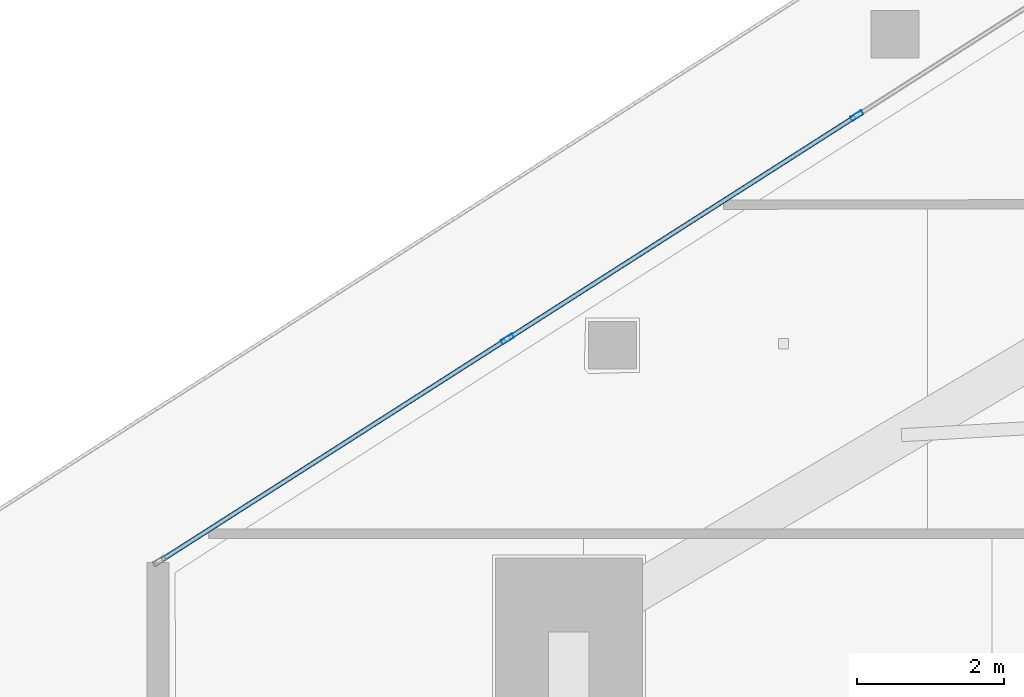
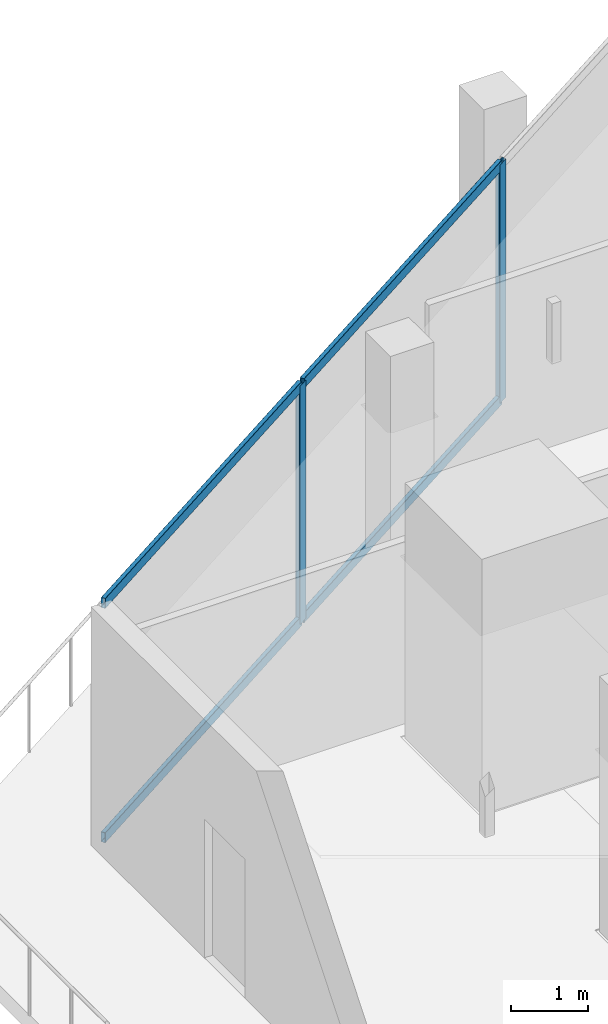
# One storey, part 14 of 36: 6 members, 1 element without a shape of its own.
"""IFC4 building model written with IfcOpenShell, lengths in metres."""

from ifc_helpers import new_model, si_unit, direction, frame, origin, origin_2d, place, context, subcontext, project, spatial, hollow_rectangle, extrude, material, layer, layer_set, material_profile, profile_set, type_object, element, aggregate, save


model = new_model("IFC4")

# Units and contexts
model_context = context("Model", 3, precision=1e-05, world=origin(), true_north=direction((0.0, 1.0)))
body_context = subcontext(model_context, "Body", "Model", "MODEL_VIEW")
ifc_project = project(units=[si_unit("LENGTHUNIT", "METRE"), si_unit("AREAUNIT", "SQUARE_METRE"), si_unit("VOLUMEUNIT", "CUBIC_METRE"), si_unit("PLANEANGLEUNIT", "RADIAN"), si_unit("MASSUNIT", "GRAM", prefix="KILO")], contexts=[model_context])

# Site, building, storey
site_placement = place(None, origin())
site = spatial("IfcSite", under=ifc_project, at=site_placement, CompositionType="ELEMENT")
building_placement = place(site_placement, origin())
building = spatial("IfcBuilding", under=site, at=building_placement, Name="Qorvath Tower", CompositionType="ELEMENT")
storey_placement = place(building_placement, frame((0.0, 0.0, 205.050048828125)))
storey = spatial("IfcBuildingStorey", under=building, at=storey_placement, Name="L47", CompositionType="ELEMENT", Elevation=205.050048828125)

# Curtain wall, members
ifc_material_1 = material(Name="Anodised aluminium and triple low-E glass", Category="aluminium")
ifc_layer = layer(ifc_material_1, 0.179931640625)
ifc_layer_set = layer_set([ifc_layer], Name="CW-SYS-3")
curtain_wall_type = type_object("IfcCurtainWallType", Name="CW-SYS-3", PredefinedType="NOTDEFINED", material=ifc_layer_set)
curtain_wall_placement = place(storey_placement, origin())
curtain_wall = element("IfcCurtainWall", 1, at=curtain_wall_placement, inside=storey, type_object=curtain_wall_type, Name="Curtain Wall CW-3 CW-T-L47-16.1", PredefinedType="NOTDEFINED")
ifc_material_2 = material(Name="Anodised aluminium 6063-T6", Category="aluminium")
ifc_material_profile_1 = material_profile(ifc_material_2, hollow_rectangle(XDim=0.06494140625, YDim=0.179931640625, WallThickness=0.00341796875, InnerFilletRadius=0.00341796875, OuterFilletRadius=0.007080078125, at=origin_2d()), Name="CWM 180x65")
ifc_profile_set_1 = profile_set([ifc_material_profile_1], Name="Anodised aluminium 6063-T6")
member_type_1 = type_object("IfcMemberType", Name="CWM-180", PredefinedType="MULLION", material=ifc_profile_set_1)
member_1_placement = place(storey_placement, frame((-45.2578125, 9.54638671875, 0.0), z_axis=(0.0, 0.0, 1.0), x_axis=(0.538533623725, -0.842604020948, 0.0)))
member_1 = element("IfcMember", 2, at=member_1_placement, type_object=member_type_1, Name="CW-3 mullion 7", PredefinedType="MULLION", context=body_context, shape_type="SweptSolid", body=[
    extrude(hollow_rectangle(XDim=0.06494140625, YDim=0.179931640625, WallThickness=0.00341796875, InnerFilletRadius=0.00341796875, OuterFilletRadius=0.007080078125, at=origin_2d()), origin(), (0.0, 0.0, 1.0), 3.780029296875),
])
member_2_placement = place(storey_placement, frame((-50.01025390625, 6.5087890625, 0.0), z_axis=(0.0, 0.0, 1.0), x_axis=(0.538533623725, -0.842604020948, 0.0)))
member_2 = element("IfcMember", 3, at=member_2_placement, type_object=member_type_1, Name="CW-3 mullion 8", PredefinedType="MULLION", context=body_context, shape_type="SweptSolid", body=[
    extrude(hollow_rectangle(XDim=0.06494140625, YDim=0.179931640625, WallThickness=0.00341796875, InnerFilletRadius=0.00341796875, OuterFilletRadius=0.007080078125, at=origin_2d()), origin(), (0.0, 0.0, 1.0), 3.780029296875),
])
ifc_material_3 = material(Name="Anodised aluminium 6063-T6", Category="aluminium")
ifc_material_profile_2 = material_profile(ifc_material_3, hollow_rectangle(XDim=0.06494140625, YDim=0.159912109375, WallThickness=0.00341796875, InnerFilletRadius=0.00341796875, OuterFilletRadius=0.007080078125, at=origin_2d()), Name="CWT 160x65")
ifc_profile_set_2 = profile_set([ifc_material_profile_2], Name="Anodised aluminium 6063-T6")
member_type_2 = type_object("IfcMemberType", Name="CWT-160", PredefinedType="USERDEFINED", material=ifc_profile_set_2)
member_3_placement = place(storey_placement, frame((-45.28515625, 9.52880859375, 0.032470703125), z_axis=(-0.842606844645, -0.538529205667, 0.0), x_axis=(0.538529205667, -0.842606844645, 0.0)))
member_3 = element("IfcMember", 4, at=member_3_placement, type_object=member_type_2, Name="CW-3 transom 7.1", ObjectType="TRANSOM", PredefinedType="USERDEFINED", context=body_context, shape_type="SweptSolid", body=[
    extrude(hollow_rectangle(XDim=0.06494140625, YDim=0.159912109375, WallThickness=0.00341796875, InnerFilletRadius=0.00341796875, OuterFilletRadius=0.007080078125, at=origin_2d()), origin(), (0.0, 0.0, 1.0), 5.5751953125),
])
member_4_placement = place(storey_placement, frame((-45.28515625, 9.52880859375, 3.74755859375), z_axis=(-0.842606844645, -0.538529205667, 0.0), x_axis=(0.538529205667, -0.842606844645, 0.0)))
member_4 = element("IfcMember", 5, at=member_4_placement, type_object=member_type_2, Name="CW-3 transom 7.2", ObjectType="TRANSOM", PredefinedType="USERDEFINED", context=body_context, shape_type="SweptSolid", body=[
    extrude(hollow_rectangle(XDim=0.06494140625, YDim=0.159912109375, WallThickness=0.00341796875, InnerFilletRadius=0.00341796875, OuterFilletRadius=0.007080078125, at=origin_2d()), origin(), (0.0, 0.0, 1.0), 5.5751953125),
])
member_5_placement = place(storey_placement, frame((-50.03759765625, 6.491455078125, 0.032470703125), z_axis=(-0.842595217297, -0.538547397903, 0.0), x_axis=(0.538547397903, -0.842595217297, 0.0)))
member_5 = element("IfcMember", 6, at=member_5_placement, type_object=member_type_2, Name="CW-3 transom 8.1", ObjectType="TRANSOM", PredefinedType="USERDEFINED", context=body_context, shape_type="SweptSolid", body=[
    extrude(hollow_rectangle(XDim=0.06494140625, YDim=0.159912109375, WallThickness=0.00341796875, InnerFilletRadius=0.00341796875, OuterFilletRadius=0.007080078125, at=origin_2d()), origin(), (0.0, 0.0, 1.0), 5.54296875),
])
member_6_placement = place(storey_placement, frame((-50.03759765625, 6.491455078125, 3.74755859375), z_axis=(-0.842595217297, -0.538547397903, 0.0), x_axis=(0.538547397903, -0.842595217297, 0.0)))
member_6 = element("IfcMember", 7, at=member_6_placement, type_object=member_type_2, Name="CW-3 transom 8.2", ObjectType="TRANSOM", PredefinedType="USERDEFINED", context=body_context, shape_type="SweptSolid", body=[
    extrude(hollow_rectangle(XDim=0.06494140625, YDim=0.159912109375, WallThickness=0.00341796875, InnerFilletRadius=0.00341796875, OuterFilletRadius=0.007080078125, at=origin_2d()), origin(), (0.0, 0.0, 1.0), 5.54296875),
])
aggregate(curtain_wall, [member_1, member_2, member_3, member_4, member_5, member_6])

save(model, "model.ifc")
